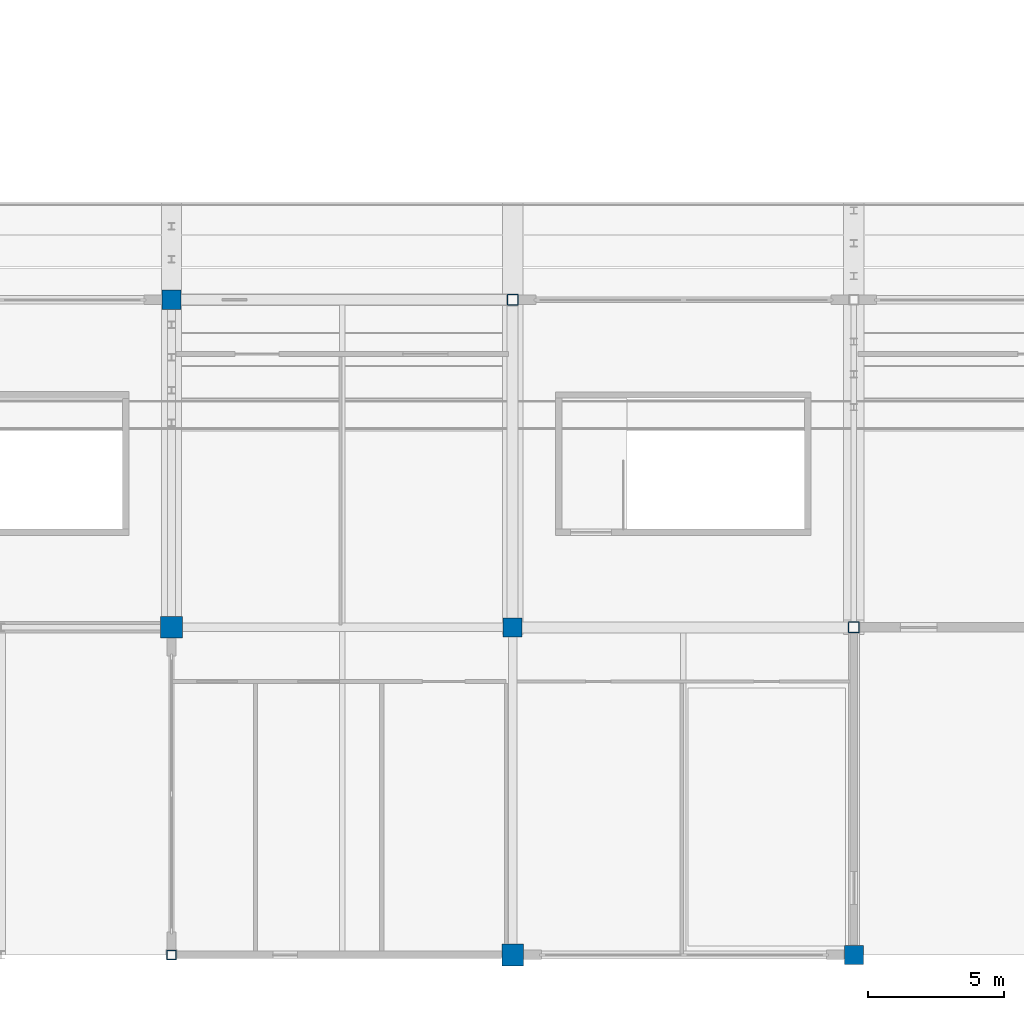
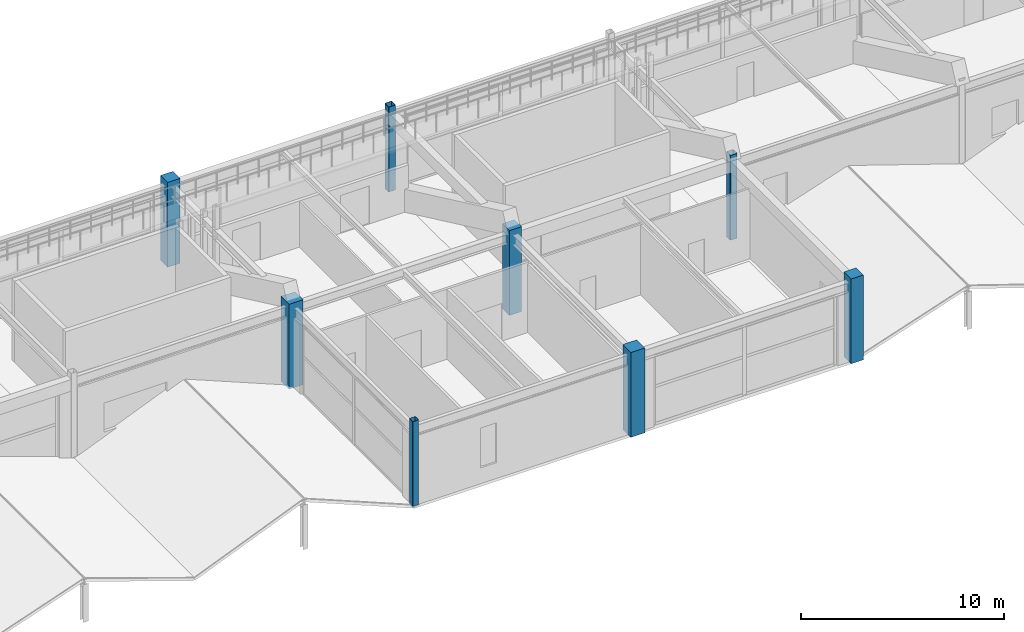
# One storey, part 5 of 128: 8 columns.
"""IFC4 building model written with IfcOpenShell, lengths in metres."""

from ifc_helpers import new_model, si_unit, direction, frame, origin, origin_2d, place, context, subcontext, project, spatial, rectangle, hollow_rectangle, extrude, material, material_profile, profile_set, type_object, element, save


model = new_model("IFC4")

# Units and contexts
model_context = context("Model", 3, precision=1e-05, world=origin(), true_north=direction((0.0, 1.0)))
body_context = subcontext(model_context, "Body", "Model", "MODEL_VIEW")
ifc_project = project(units=[si_unit("LENGTHUNIT", "METRE"), si_unit("AREAUNIT", "SQUARE_METRE"), si_unit("VOLUMEUNIT", "CUBIC_METRE"), si_unit("PLANEANGLEUNIT", "RADIAN"), si_unit("MASSUNIT", "GRAM", prefix="KILO")], contexts=[model_context])

# Site, building, storey
site_placement = place(None, origin())
site = spatial("IfcSite", under=ifc_project, at=site_placement, CompositionType="ELEMENT")
building_placement = place(site_placement, origin())
building = spatial("IfcBuilding", under=site, at=building_placement, Name="Kazenohara Klinker Stadium", CompositionType="ELEMENT")
storey_placement = place(building_placement, frame((0.0, 0.0, 15.300048828125)))
storey = spatial("IfcBuildingStorey", under=building, at=storey_placement, Name="L03", CompositionType="ELEMENT", Elevation=15.300048828125)

# Columns
ifc_material_1 = material(Name="Concrete C40/50", Category="concrete")
ifc_material_profile_1 = material_profile(ifc_material_1, rectangle(XDim=0.800048828125, YDim=0.800048828125, at=origin_2d()), Name="RC-COL-800x800")
ifc_profile_set_1 = profile_set([ifc_material_profile_1], Name="Concrete C40/50")
column_type_1 = type_object("IfcColumnType", Name="COL-RC05", PredefinedType="COLUMN", material=ifc_profile_set_1)
for number, where, z_axis, x_axis, name in (
    (1, (74.0, 24.0, 0.0), (0.0, 0.0, 1.0), (1.0, 0.0, 0.0), "Column C05 L03 7/C"),
    (2, (86.5, 12.0, 0.0), (0.0, 0.0, 1.0), (1.0, 0.0, 0.0), "Column C05 L03 8/B"),
):
    element("IfcColumn", number, at=place(storey_placement, frame(where, z_axis=z_axis, x_axis=x_axis)), inside=storey, type_object=column_type_1, Name=name, PredefinedType="COLUMN", context=body_context, shape_type="SweptSolid", body=[
        extrude(rectangle(XDim=0.800048828125, YDim=0.800048828125, at=origin_2d()), origin(), (0.0, 0.0, 1.0), 5.099853515625),
    ])
ifc_material_profile_2 = material_profile(ifc_material_1, rectangle(XDim=0.699951171875, YDim=0.699951171875, at=origin_2d()), Name="RC-COL-700x700")
ifc_profile_set_2 = profile_set([ifc_material_profile_2], Name="Concrete C40/50")
column_type_2 = type_object("IfcColumnType", Name="COL-RC06", PredefinedType="COLUMN", material=ifc_profile_set_2)
for number, where, z_axis, x_axis, name in (
    (3, (74.0, 36.0, 0.0), (0.0, 0.0, 1.0), (1.0, 0.0, 0.0), "Column C06 L03 7/D"),
    (4, (86.5, 24.0, 0.0), (0.0, 0.0, 1.0), (1.0, 0.0, 0.0), "Column C06 L03 8/C"),
    (5, (99.0, 12.0, 0.0), (0.0, 0.0, 1.0), (1.0, 0.0, 0.0), "Column C06 L03 9/B"),
):
    element("IfcColumn", number, at=place(storey_placement, frame(where, z_axis=z_axis, x_axis=x_axis)), inside=storey, type_object=column_type_2, Name=name, PredefinedType="COLUMN", context=body_context, shape_type="SweptSolid", body=[
        extrude(rectangle(XDim=0.699951171875, YDim=0.699951171875, at=origin_2d()), origin(), (0.0, 0.0, 1.0), 5.099853515625),
    ])
ifc_material_2 = material(Name="Steel S355", Category="steel")
ifc_material_profile_3 = material_profile(ifc_material_2, hollow_rectangle(XDim=0.39990234375, YDim=0.39990234375, WallThickness=0.01611328125, InnerFilletRadius=0.01611328125, OuterFilletRadius=0.031982421875, at=origin_2d()), Name="SHS-400x400x16")
ifc_profile_set_3 = profile_set([ifc_material_profile_3], Name="Steel S355")
column_type_3 = type_object("IfcColumnType", Name="COL-ST01", PredefinedType="COLUMN", material=ifc_profile_set_3)
for number, where, z_axis, x_axis, name in (
    (6, (86.5, 36.0, 0.0), (0.0, 0.0, 1.0), (1.0, 0.0, 0.0), "Column SC01 L03 8/D"),
    (7, (99.0, 24.0, 0.0), (0.0, 0.0, 1.0), (1.0, 0.0, 0.0), "Column SC01 L03 9/C"),
):
    element("IfcColumn", number, at=place(storey_placement, frame(where, z_axis=z_axis, x_axis=x_axis)), inside=storey, type_object=column_type_3, Name=name, PredefinedType="COLUMN", context=body_context, shape_type="SweptSolid", body=[
        extrude(hollow_rectangle(XDim=0.39990234375, YDim=0.39990234375, WallThickness=0.01611328125, InnerFilletRadius=0.01611328125, OuterFilletRadius=0.031982421875, at=origin_2d()), origin(), (0.0, 0.0, 1.0), 5.099853515625),
    ])
ifc_material_profile_4 = material_profile(ifc_material_2, hollow_rectangle(XDim=0.35009765625, YDim=0.35009765625, WallThickness=0.01611328125, InnerFilletRadius=0.01611328125, OuterFilletRadius=0.031982421875, at=origin_2d()), Name="SHS-350x350x16")
ifc_profile_set_4 = profile_set([ifc_material_profile_4], Name="Steel S355")
column_type_4 = type_object("IfcColumnType", Name="COL-ST02", PredefinedType="COLUMN", material=ifc_profile_set_4)
column_placement = place(storey_placement, frame((74.0, 12.0, 0.0), z_axis=(0.0, 0.0, 1.0), x_axis=(1.0, 0.0, 0.0)))
element("IfcColumn", 8, at=column_placement, inside=storey, type_object=column_type_4, Name="Column SC02 L03 7/B", PredefinedType="COLUMN", context=body_context, shape_type="SweptSolid", body=[
    extrude(hollow_rectangle(XDim=0.35009765625, YDim=0.35009765625, WallThickness=0.01611328125, InnerFilletRadius=0.01611328125, OuterFilletRadius=0.031982421875, at=origin_2d()), origin(), (0.0, 0.0, 1.0), 5.099853515625),
])

save(model, "model.ifc")
